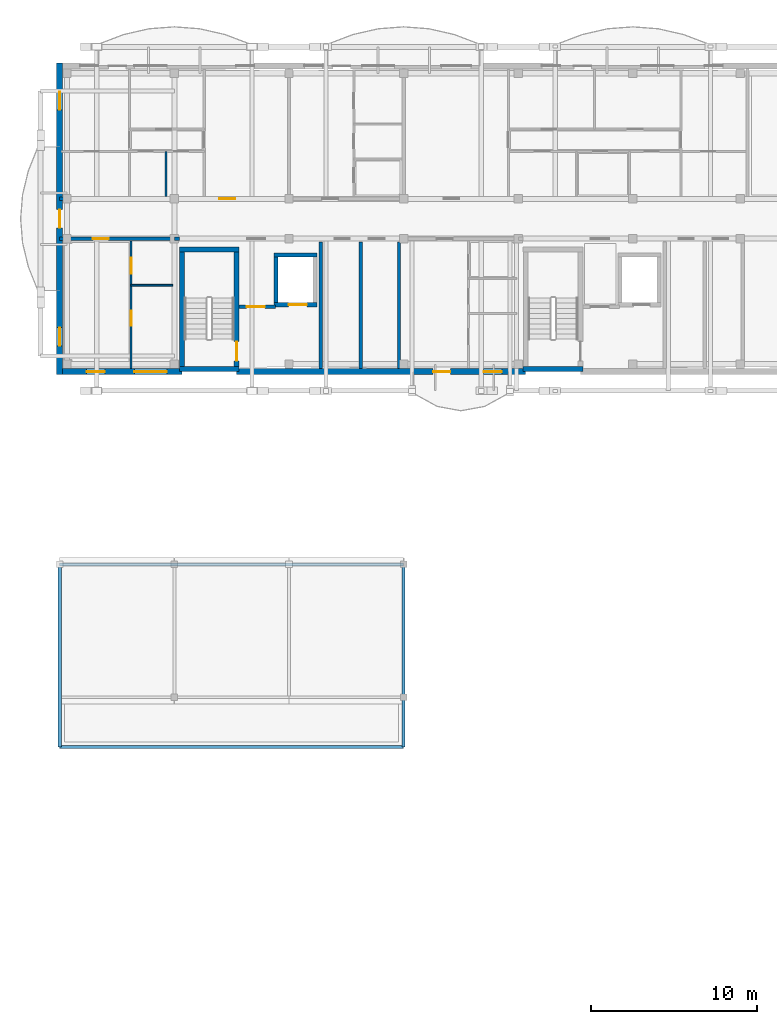
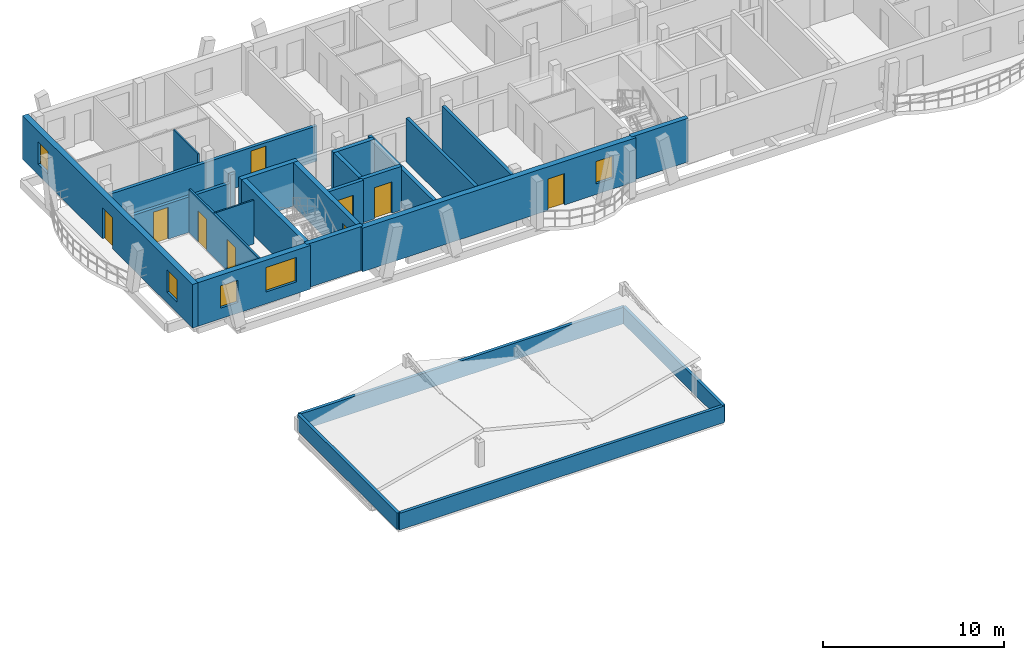
# One storey, part 24 of 50: 25 walls, 9 doors, 5 windows, 14 openings.
"""IFC4 building model written with IfcOpenShell, lengths in metres."""

from ifc_helpers import new_model, si_unit, direction, frame, frame_2d, origin, origin_with_axes, place, context, subcontext, project, spatial, rectangle, extrude, material, layer, layer_set, type_object, element, fill, save


model = new_model("IFC4")

# Units and contexts
model_context = context("Model", 3, precision=1e-05, world=origin(), true_north=direction((0.0, 1.0)))
body_context = subcontext(model_context, "Body", "Model", "MODEL_VIEW")
ifc_project = project(units=[si_unit("LENGTHUNIT", "METRE"), si_unit("AREAUNIT", "SQUARE_METRE"), si_unit("VOLUMEUNIT", "CUBIC_METRE"), si_unit("PLANEANGLEUNIT", "RADIAN"), si_unit("MASSUNIT", "GRAM", prefix="KILO")], contexts=[model_context])

# Site, building, storey
site_placement = place(None, origin())
site = spatial("IfcSite", under=ifc_project, at=site_placement, CompositionType="ELEMENT")
building_placement = place(site_placement, origin())
building = spatial("IfcBuilding", under=site, at=building_placement, Name="Zavelmont Quarter", CompositionType="ELEMENT")
storey_placement = place(building_placement, frame((0.0, 0.0, 11.199951171875)))
storey = spatial("IfcBuildingStorey", under=building, at=storey_placement, Name="L03", CompositionType="ELEMENT", Elevation=11.199951171875)

# Wall, openings, windows
ifc_material_1 = material(Name="Natural Belgian limestone", Category="masonry")
ifc_layer_1 = layer(ifc_material_1, 0.360107421875)
ifc_layer_set_1 = layer_set([ifc_layer_1], Name="Natural Belgian limestone")
wall_type_1 = type_object("IfcWallType", Name="EW02", PredefinedType="STANDARD", material=ifc_layer_set_1)
wall_1_placement = place(storey_placement, frame((0.169921875, 97.60009765625, 0.0), z_axis=(0.0, 0.0, 1.0), x_axis=(1.0, 0.0, 0.0)))
wall_1 = element("IfcWall", 1, at=wall_1_placement, inside=storey, type_object=wall_type_1, Name="L03 exterior limestone wall EW02", PredefinedType="STANDARD", context=body_context, shape_type="SweptSolid", body=[
    extrude(rectangle(XDim=7.18017578125, YDim=0.360107421875, at=frame_2d((3.590087890625, 0.0))), origin(), (0.0, 0.0, 1.0), 2.93994140625),
])
opening_1_placement = place(wall_1_placement, frame((1.449951171875, 0.0, 0.719970703125)))
opening_1 = element("IfcOpeningElement", 2, at=opening_1_placement, cuts=wall_1, Name="Opening WN09", PredefinedType="OPENING", context=body_context, shape_type="SweptSolid", body=[
    extrude(rectangle(XDim=1.10009765625, YDim=1.5, at=frame_2d((0.550048828125, 0.75))), frame((0.0, 0.19189453125, 0.0), z_axis=(0.0, -1.0, 0.0), x_axis=(1.0, 0.0, 0.0)), (0.0, 0.0, 1.0), 0.384033203125),
])
opening_2_placement = place(wall_1_placement, frame((4.327392578125, 0.0, 0.800048828125)))
opening_2 = element("IfcOpeningElement", 3, at=opening_2_placement, cuts=wall_1, Name="Opening WN24", PredefinedType="OPENING", context=body_context, shape_type="SweptSolid", body=[
    extrude(rectangle(XDim=1.949951171875, YDim=1.64990234375, at=frame_2d((0.97509765625, 0.824951171875))), frame((0.0, 0.19189453125, 0.0), z_axis=(0.0, -1.0, 0.0), x_axis=(1.0, 0.0, 0.0)), (0.0, 0.0, 1.0), 0.384033203125),
])
ifc_material_2 = material(Name="Double low-E insulated glazing in thermally broken aluminium frame", Category="aluminium")
window_type_1 = type_object("IfcWindowType", Name="WN09", PartitioningType="SINGLE_PANEL", PredefinedType="WINDOW", material=ifc_material_2)
window_1_placement = place(opening_1_placement, origin_with_axes())
window_1 = element("IfcWindow", 4, at=window_1_placement, inside=storey, type_object=window_type_1, Name="L03 window WN09", OverallHeight=1.5, OverallWidth=1.10009765625, PartitioningType="SINGLE_PANEL", PredefinedType="WINDOW", context=body_context, shape_type="SweptSolid", body=[
    extrude(rectangle(XDim=1.10009765625, YDim=1.5, at=frame_2d((0.550048828125, 0.75))), frame((0.0, 0.030029296875, 0.0), z_axis=(0.0, -1.0, 0.0), x_axis=(1.0, 0.0, 0.0)), (0.0, 0.0, 1.0), 0.06005859375),
])
fill(opening_1, window_1)
window_type_2 = type_object("IfcWindowType", Name="WN24", PartitioningType="SINGLE_PANEL", PredefinedType="WINDOW", material=ifc_material_2)
window_2_placement = place(opening_2_placement, origin_with_axes())
window_2 = element("IfcWindow", 5, at=window_2_placement, inside=storey, type_object=window_type_2, Name="L03 window WN24", OverallHeight=1.64990234375, OverallWidth=1.949951171875, PartitioningType="SINGLE_PANEL", PredefinedType="WINDOW", context=body_context, shape_type="SweptSolid", body=[
    extrude(rectangle(XDim=1.949951171875, YDim=1.64990234375, at=frame_2d((0.97509765625, 0.824951171875))), frame((0.0, 0.030029296875, 0.0), z_axis=(0.0, -1.0, 0.0), x_axis=(1.0, 0.0, 0.0)), (0.0, 0.0, 1.0), 0.06005859375),
])
fill(opening_2, window_2)

# Wall, openings, door, window
wall_2_placement = place(storey_placement, frame((10.64990234375, 97.60009765625, 0.0), z_axis=(0.0, 0.0, 1.0), x_axis=(1.0, 0.0, 0.0)))
wall_2 = element("IfcWall", 6, at=wall_2_placement, inside=storey, type_object=wall_type_1, Name="L03 exterior limestone wall EW02", PredefinedType="STANDARD", context=body_context, shape_type="SweptSolid", body=[
    extrude(rectangle(XDim=17.400146484375, YDim=0.360107421875, at=frame_2d((8.7001953125, 0.0))), origin(), (0.0, 0.0, 1.0), 2.93994140625),
])
opening_3_placement = place(wall_2_placement, frame((11.820068359375, 0.0, 0.0)))
opening_3 = element("IfcOpeningElement", 7, at=opening_3_placement, cuts=wall_2, Name="Opening DR04A", PredefinedType="OPENING", context=body_context, shape_type="SweptSolid", body=[
    extrude(rectangle(XDim=1.050048828125, YDim=2.1201171875, at=frame_2d((0.52490234375, 1.06005859375))), frame((0.0, 0.19189453125, 0.0), z_axis=(0.0, -1.0, 0.0), x_axis=(1.0, 0.0, 0.0)), (0.0, 0.0, 1.0), 0.384033203125),
])
opening_4_placement = place(wall_2_placement, frame((14.8701171875, 0.0, 0.719970703125)))
opening_4 = element("IfcOpeningElement", 8, at=opening_4_placement, cuts=wall_2, Name="Opening WN09", PredefinedType="OPENING", context=body_context, shape_type="SweptSolid", body=[
    extrude(rectangle(XDim=1.10009765625, YDim=1.5, at=frame_2d((0.550048828125, 0.75))), frame((0.0, 0.19189453125, 0.0), z_axis=(0.0, -1.0, 0.0), x_axis=(1.0, 0.0, 0.0)), (0.0, 0.0, 1.0), 0.384033203125),
])
ifc_material_3 = material(Name="Thermally broken aluminium and double safety glass", Category="aluminium")
door_type_1 = type_object("IfcDoorType", Name="DR04A", OperationType="NOTDEFINED", PredefinedType="DOOR", material=ifc_material_3)
door_1_placement = place(opening_3_placement, origin_with_axes())
door_1 = element("IfcDoor", 9, at=door_1_placement, inside=storey, type_object=door_type_1, Name="Block B L03 glazed balcony door", OperationType="SINGLE_SWING_RIGHT", OverallHeight=2.1201171875, OverallWidth=1.050048828125, PredefinedType="DOOR", context=body_context, shape_type="SweptSolid", body=[
    extrude(rectangle(XDim=1.050048828125, YDim=2.1201171875, at=frame_2d((0.52490234375, 1.06005859375))), frame((0.0, 0.02490234375, 0.0), z_axis=(0.0, -1.0, 0.0), x_axis=(1.0, 0.0, 0.0)), (0.0, 0.0, 1.0), 0.050048828125),
])
fill(opening_3, door_1)
window_3_placement = place(opening_4_placement, origin_with_axes())
window_3 = element("IfcWindow", 10, at=window_3_placement, inside=storey, type_object=window_type_1, Name="L03 window WN09", OverallHeight=1.5, OverallWidth=1.10009765625, PartitioningType="SINGLE_PANEL", PredefinedType="WINDOW", context=body_context, shape_type="SweptSolid", body=[
    extrude(rectangle(XDim=1.10009765625, YDim=1.5, at=frame_2d((0.550048828125, 0.75))), frame((0.0, 0.030029296875, 0.0), z_axis=(0.0, -1.0, 0.0), x_axis=(1.0, 0.0, 0.0)), (0.0, 0.0, 1.0), 0.06005859375),
])
fill(opening_4, window_3)

# Wall, openings, door, windows
wall_3_placement = place(storey_placement, frame((0.0, 97.419921875, 0.0), z_axis=(0.0, 0.0, 1.0), x_axis=(0.0, 1.0, 0.0)))
wall_3 = element("IfcWall", 11, at=wall_3_placement, inside=storey, type_object=wall_type_1, Name="L03 exterior limestone wall EW02", PredefinedType="STANDARD", context=body_context, shape_type="SweptSolid", body=[
    extrude(rectangle(XDim=18.760009765625, YDim=0.360107421875, at=frame_2d((9.3798828125, 0.0))), origin(), (0.0, 0.0, 1.0), 2.93994140625),
])
opening_5_placement = place(wall_3_placement, frame((8.830078125, 0.0, 0.0)))
opening_5 = element("IfcOpeningElement", 12, at=opening_5_placement, cuts=wall_3, Name="Opening DR04B", PredefinedType="OPENING", context=body_context, shape_type="SweptSolid", body=[
    extrude(rectangle(XDim=1.10009765625, YDim=2.10009765625, at=frame_2d((0.550048828125, 1.050048828125))), frame((0.0, 0.19189453125, 0.0), z_axis=(0.0, -1.0, 0.0), x_axis=(1.0, 0.0, 0.0)), (0.0, 0.0, 1.0), 0.384033203125),
])
opening_6_placement = place(wall_3_placement, frame((1.72998046875, 0.0, 0.719970703125)))
opening_6 = element("IfcOpeningElement", 13, at=opening_6_placement, cuts=wall_3, Name="Opening WN09", PredefinedType="OPENING", context=body_context, shape_type="SweptSolid", body=[
    extrude(rectangle(XDim=1.10009765625, YDim=1.5, at=frame_2d((0.550048828125, 0.75))), frame((0.0, 0.19189453125, 0.0), z_axis=(0.0, -1.0, 0.0), x_axis=(1.0, 0.0, 0.0)), (0.0, 0.0, 1.0), 0.384033203125),
])
opening_7_placement = place(wall_3_placement, frame((15.929931640625, 0.0, 0.719970703125)))
opening_7 = element("IfcOpeningElement", 14, at=opening_7_placement, cuts=wall_3, Name="Opening WN09", PredefinedType="OPENING", context=body_context, shape_type="SweptSolid", body=[
    extrude(rectangle(XDim=1.10009765625, YDim=1.5, at=frame_2d((0.550048828125, 0.75))), frame((0.0, 0.19189453125, 0.0), z_axis=(0.0, -1.0, 0.0), x_axis=(1.0, 0.0, 0.0)), (0.0, 0.0, 1.0), 0.384033203125),
])
door_type_2 = type_object("IfcDoorType", Name="DR04B", OperationType="NOTDEFINED", PredefinedType="DOOR", material=ifc_material_3)
door_2_placement = place(opening_5_placement, frame((1.10009765625, 0.0, 0.0), z_axis=(0.0, 0.0, 1.0), x_axis=(-1.0, 0.0, 0.0)))
door_2 = element("IfcDoor", 15, at=door_2_placement, inside=storey, type_object=door_type_2, Name="Block B L03 terrace or vase balcony door", OperationType="SINGLE_SWING_RIGHT", OverallHeight=2.10009765625, OverallWidth=1.10009765625, PredefinedType="DOOR", context=body_context, shape_type="SweptSolid", body=[
    extrude(rectangle(XDim=1.10009765625, YDim=2.10009765625, at=frame_2d((0.550048828125, 1.050048828125))), frame((0.0, 0.02490234375, 0.0), z_axis=(0.0, -1.0, 0.0), x_axis=(1.0, 0.0, 0.0)), (0.0, 0.0, 1.0), 0.050048828125),
])
fill(opening_5, door_2)
window_4_placement = place(opening_6_placement, origin_with_axes())
window_4 = element("IfcWindow", 16, at=window_4_placement, inside=storey, type_object=window_type_1, Name="L03 window WN09", OverallHeight=1.5, OverallWidth=1.10009765625, PartitioningType="SINGLE_PANEL", PredefinedType="WINDOW", context=body_context, shape_type="SweptSolid", body=[
    extrude(rectangle(XDim=1.10009765625, YDim=1.5, at=frame_2d((0.550048828125, 0.75))), frame((0.0, 0.030029296875, 0.0), z_axis=(0.0, -1.0, 0.0), x_axis=(1.0, 0.0, 0.0)), (0.0, 0.0, 1.0), 0.06005859375),
])
fill(opening_6, window_4)
window_5_placement = place(opening_7_placement, origin_with_axes())
window_5 = element("IfcWindow", 17, at=window_5_placement, inside=storey, type_object=window_type_1, Name="L03 window WN09", OverallHeight=1.5, OverallWidth=1.10009765625, PartitioningType="SINGLE_PANEL", PredefinedType="WINDOW", context=body_context, shape_type="SweptSolid", body=[
    extrude(rectangle(XDim=1.10009765625, YDim=1.5, at=frame_2d((0.550048828125, 0.75))), frame((0.0, 0.030029296875, 0.0), z_axis=(0.0, -1.0, 0.0), x_axis=(1.0, 0.0, 0.0)), (0.0, 0.0, 1.0), 0.06005859375),
])
fill(opening_7, window_5)

# Walls
ifc_material_4 = material(Name="Calcium-silicate blockwork and acoustic plaster", Category="masonry")
ifc_layer_2 = layer(ifc_material_4, 0.199951171875)
ifc_layer_set_2 = layer_set([ifc_layer_2], Name="Calcium-silicate blockwork and acoustic plaster")
wall_type_2 = type_object("IfcWallType", Name="IW01", PredefinedType="PARTITIONING", material=ifc_layer_set_2)
for number, where, z_axis, x_axis, name in (
    (18, (18.125, 97.800048828125, 0.0), (0.0, 0.0, 1.0), (0.0, 1.0, 0.0), "L03 Service riser divider wall IW01"),
    (19, (20.419921875, 97.800048828125, 0.0), (0.0, 0.0, 1.0), (0.0, 1.0, 0.0), "L03 Core service end wall IW01"),
):
    element("IfcWall", number, at=place(storey_placement, frame(where, z_axis=z_axis, x_axis=x_axis)), inside=storey, type_object=wall_type_2, Name=name, PredefinedType="PARTITIONING", context=body_context, shape_type="SweptSolid", body=[
        extrude(rectangle(XDim=7.599853515625, YDim=0.199951171875, at=frame_2d((3.7998046875, 0.0))), origin(), (0.0, 0.0, 1.0), 2.93994140625),
    ])

# Wall, opening, door
wall_4_placement = place(storey_placement, frame((0.0, 108.0, 0.0), z_axis=(0.0, 0.0, 1.0), x_axis=(1.0, 0.0, 0.0)))
wall_4 = element("IfcWall", 20, at=wall_4_placement, inside=storey, type_object=wall_type_2, Name="L03 Corridor compartment wall IW01", PredefinedType="PARTITIONING", context=body_context, shape_type="SweptSolid", body=[
    extrude(rectangle(XDim=13.800048828125, YDim=0.199951171875, at=frame_2d((6.89990234375, 0.0))), origin(), (0.0, 0.0, 1.0), 2.380126953125),
])
opening_8_placement = place(wall_4_placement, frame((9.60009765625, 0.0, 0.0)))
opening_8 = element("IfcOpeningElement", 21, at=opening_8_placement, cuts=wall_4, Name="Opening DR02", PredefinedType="OPENING", context=body_context, shape_type="SweptSolid", body=[
    extrude(rectangle(XDim=0.949951171875, YDim=2.14990234375, at=frame_2d((0.47509765625, 1.074951171875))), frame((0.0, 0.11181640625, 0.0), z_axis=(0.0, -1.0, 0.0), x_axis=(1.0, 0.0, 0.0)), (0.0, 0.0, 1.0), 0.223876953125),
])
ifc_material_5 = material(Name="Solid-core oak fire leaf in steel frame", Category="steel")
door_type_3 = type_object("IfcDoorType", Name="DR02", OperationType="NOTDEFINED", PredefinedType="DOOR", material=ifc_material_5)
door_3_placement = place(opening_8_placement, origin_with_axes())
door_3 = element("IfcDoor", 22, at=door_3_placement, inside=storey, type_object=door_type_3, Name="L03 door DR02", OperationType="SINGLE_SWING_LEFT", OverallHeight=2.14990234375, OverallWidth=0.949951171875, PredefinedType="DOOR", context=body_context, shape_type="SweptSolid", body=[
    extrude(rectangle(XDim=0.949951171875, YDim=2.14990234375, at=frame_2d((0.47509765625, 1.074951171875))), frame((0.0, 0.02490234375, 0.0), z_axis=(0.0, -1.0, 0.0), x_axis=(1.0, 0.0, 0.0)), (0.0, 0.0, 1.0), 0.050048828125),
])
fill(opening_8, door_3)

wall_5_placement = place(storey_placement, frame((0.0, 105.60009765625, 0.0), z_axis=(0.0, 0.0, 1.0), x_axis=(1.0, 0.0, 0.0)))
wall_5 = element("IfcWall", 23, at=wall_5_placement, inside=storey, type_object=wall_type_2, Name="L03 Corridor compartment wall IW01", PredefinedType="PARTITIONING", context=body_context, shape_type="SweptSolid", body=[
    extrude(rectangle(XDim=6.89990234375, YDim=0.199951171875, at=frame_2d((3.449951171875, 0.0))), origin(), (0.0, 0.0, 1.0), 2.380126953125),
])
opening_9_placement = place(wall_5_placement, frame((2.0, 0.0, 0.0)))
opening_9 = element("IfcOpeningElement", 24, at=opening_9_placement, cuts=wall_5, Name="Opening DR02", PredefinedType="OPENING", context=body_context, shape_type="SweptSolid", body=[
    extrude(rectangle(XDim=0.949951171875, YDim=2.14990234375, at=frame_2d((0.47509765625, 1.074951171875))), frame((0.0, 0.11181640625, 0.0), z_axis=(0.0, -1.0, 0.0), x_axis=(1.0, 0.0, 0.0)), (0.0, 0.0, 1.0), 0.223876953125),
])
door_4_placement = place(opening_9_placement, frame((0.949951171875, 0.0, 0.0), z_axis=(0.0, 0.0, 1.0), x_axis=(-1.0, 0.0, 0.0)))
door_4 = element("IfcDoor", 25, at=door_4_placement, inside=storey, type_object=door_type_3, Name="L03 door DR02", OperationType="SINGLE_SWING_LEFT", OverallHeight=2.14990234375, OverallWidth=0.949951171875, PredefinedType="DOOR", context=body_context, shape_type="SweptSolid", body=[
    extrude(rectangle(XDim=0.949951171875, YDim=2.14990234375, at=frame_2d((0.47509765625, 1.074951171875))), frame((0.0, 0.02490234375, 0.0), z_axis=(0.0, -1.0, 0.0), x_axis=(1.0, 0.0, 0.0)), (0.0, 0.0, 1.0), 0.050048828125),
])
fill(opening_9, door_4)

# Wall
ifc_material_6 = material(Name="Reinforced masonry fire compartment wall", Category="masonry")
ifc_layer_3 = layer(ifc_material_6, 0.22509765625)
ifc_layer_set_3 = layer_set([ifc_layer_3], Name="Reinforced masonry fire compartment wall")
wall_type_3 = type_object("IfcWallType", Name="IW02", PredefinedType="PARTITIONING", material=ifc_layer_set_3)
wall_6_placement = place(storey_placement, frame((15.7099609375, 97.800048828125, 0.0), z_axis=(0.0, 0.0, 1.0), x_axis=(0.0, 1.0, 0.0)))
element("IfcWall", 26, at=wall_6_placement, inside=storey, type_object=wall_type_3, Name="L03 Firefighting lobby enclosure wall IW02", PredefinedType="PARTITIONING", context=body_context, shape_type="SweptSolid", body=[
    extrude(rectangle(XDim=7.599853515625, YDim=0.22509765625, at=frame_2d((3.7998046875, 0.0))), origin(), (0.0, 0.0, 1.0), 2.590087890625),
])

# Wall, opening, door
wall_7_placement = place(storey_placement, frame((10.800048828125, 101.5, 0.0), z_axis=(0.0, 0.0, 1.0), x_axis=(1.0, 0.0, 0.0)))
wall_7 = element("IfcWall", 27, at=wall_7_placement, inside=storey, type_object=wall_type_3, Name="L03 Firefighting lobby threshold wall IW02", PredefinedType="PARTITIONING", context=body_context, shape_type="SweptSolid", body=[
    extrude(rectangle(XDim=2.199951171875, YDim=0.22509765625, at=frame_2d((1.10009765625, 0.0))), origin(), (0.0, 0.0, 1.0), 2.93994140625),
])
opening_10_placement = place(wall_7_placement, frame((0.449951171875, 0.0, 0.0)))
opening_10 = element("IfcOpeningElement", 28, at=opening_10_placement, cuts=wall_7, Name="Opening DR10", PredefinedType="OPENING", context=body_context, shape_type="SweptSolid", body=[
    extrude(rectangle(XDim=1.10009765625, YDim=2.14990234375, at=frame_2d((0.550048828125, 1.074951171875))), frame((0.0, 0.12451171875, 0.0), z_axis=(0.0, -1.0, 0.0), x_axis=(1.0, 0.0, 0.0)), (0.0, 0.0, 1.0), 0.2490234375),
])
ifc_material_7 = material(Name="Painted steel lobby fire door", Category="steel")
door_type_4 = type_object("IfcDoorType", Name="DR10", OperationType="NOTDEFINED", PredefinedType="DOOR", material=ifc_material_7)
door_5_placement = place(opening_10_placement, frame((1.10009765625, 0.0, 0.0), z_axis=(0.0, 0.0, 1.0), x_axis=(-1.0, 0.0, 0.0)))
door_5 = element("IfcDoor", 29, at=door_5_placement, inside=storey, type_object=door_type_4, Name="Firefighting lobby fire door", OperationType="SINGLE_SWING_LEFT", OverallHeight=2.14990234375, OverallWidth=1.10009765625, PredefinedType="DOOR", context=body_context, shape_type="SweptSolid", body=[
    extrude(rectangle(XDim=1.10009765625, YDim=2.14990234375, at=frame_2d((0.550048828125, 1.074951171875))), frame((0.0, 0.02490234375, 0.0), z_axis=(0.0, -1.0, 0.0), x_axis=(1.0, 0.0, 0.0)), (0.0, 0.0, 1.0), 0.050048828125),
])
fill(opening_10, door_5)

# Wall
wall_8_placement = place(storey_placement, frame((6.89990234375, 105.60009765625, 0.0), z_axis=(0.0, 0.0, 1.0), x_axis=(1.0, 0.0, 0.0)))
element("IfcWall", 30, at=wall_8_placement, inside=storey, type_object=wall_type_3, Name="L03 Core corridor wall IW02", PredefinedType="PARTITIONING", context=body_context, shape_type="SweptSolid", body=[
    extrude(rectangle(XDim=0.300048828125, YDim=0.22509765625, at=frame_2d((0.14990234375, 0.0))), origin(), (0.0, 0.0, 1.0), 2.93994140625),
])

# Wall, openings, doors
ifc_material_8 = material(Name="Double gypsum board on acoustic steel stud", Category="steel")
ifc_layer_4 = layer(ifc_material_8, 0.125)
ifc_layer_set_4 = layer_set([ifc_layer_4], Name="Double gypsum board on acoustic steel stud")
wall_type_4 = type_object("IfcWallType", Name="IW03", PredefinedType="PARTITIONING", material=ifc_layer_set_4)
wall_9_placement = place(storey_placement, frame((4.300048828125, 105.449951171875, 0.0), z_axis=(0.0, 0.0, 1.0), x_axis=(0.0, -1.0, 0.0)))
wall_9 = element("IfcWall", 31, at=wall_9_placement, inside=storey, type_object=wall_type_4, Name="L03 Partition IW03", PredefinedType="PARTITIONING", context=body_context, shape_type="SweptSolid", body=[
    extrude(rectangle(XDim=7.64990234375, YDim=0.125, at=frame_2d((3.824951171875, 0.0))), origin(), (0.0, 0.0, 1.0), 2.93994140625),
])
opening_11_placement = place(wall_9_placement, frame((1.0, 0.0, 0.0)))
opening_11 = element("IfcOpeningElement", 32, at=opening_11_placement, cuts=wall_9, Name="Opening DR17", PredefinedType="OPENING", context=body_context, shape_type="SweptSolid", body=[
    extrude(rectangle(XDim=0.949951171875, YDim=2.10009765625, at=frame_2d((0.47509765625, 1.050048828125))), frame((0.0, 0.074462890625, 0.0), z_axis=(0.0, -1.0, 0.0), x_axis=(1.0, 0.0, 0.0)), (0.0, 0.0, 1.0), 0.14892578125),
])
opening_12_placement = place(wall_9_placement, frame((4.199951171875, 0.0, 0.0)))
opening_12 = element("IfcOpeningElement", 33, at=opening_12_placement, cuts=wall_9, Name="Opening DR05", PredefinedType="OPENING", context=body_context, shape_type="SweptSolid", body=[
    extrude(rectangle(XDim=0.89990234375, YDim=2.10009765625, at=frame_2d((0.449951171875, 1.050048828125))), frame((0.0, 0.074462890625, 0.0), z_axis=(0.0, -1.0, 0.0), x_axis=(1.0, 0.0, 0.0)), (0.0, 0.0, 1.0), 0.14892578125),
])
ifc_material_9 = material(Name="Engineered oak flush interior door")
door_type_5 = type_object("IfcDoorType", Name="DR05", OperationType="NOTDEFINED", PredefinedType="DOOR", material=ifc_material_9)
door_6_placement = place(opening_12_placement, origin_with_axes())
door_6 = element("IfcDoor", 34, at=door_6_placement, inside=storey, type_object=door_type_5, Name="L03 door DR05", OperationType="SINGLE_SWING_RIGHT", OverallHeight=2.10009765625, OverallWidth=0.89990234375, PredefinedType="DOOR", context=body_context, shape_type="SweptSolid", body=[
    extrude(rectangle(XDim=0.89990234375, YDim=2.10009765625, at=frame_2d((0.449951171875, 1.050048828125))), frame((0.0, 0.02490234375, 0.0), z_axis=(0.0, -1.0, 0.0), x_axis=(1.0, 0.0, 0.0)), (0.0, 0.0, 1.0), 0.050048828125),
])
fill(opening_12, door_6)
ifc_material_10 = material(Name="Accessible washroom flush door")
door_type_6 = type_object("IfcDoorType", Name="DR17", OperationType="NOTDEFINED", PredefinedType="DOOR", material=ifc_material_10)
door_7_placement = place(opening_11_placement, frame((0.949951171875, 0.0, 0.0), z_axis=(0.0, 0.0, 1.0), x_axis=(-1.0, 0.0, 0.0)))
door_7 = element("IfcDoor", 35, at=door_7_placement, inside=storey, type_object=door_type_6, Name="L03 door DR17", OperationType="SINGLE_SWING_LEFT", OverallHeight=2.10009765625, OverallWidth=0.949951171875, PredefinedType="DOOR", context=body_context, shape_type="SweptSolid", body=[
    extrude(rectangle(XDim=0.949951171875, YDim=2.10009765625, at=frame_2d((0.47509765625, 1.050048828125))), frame((0.0, 0.02490234375, 0.0), z_axis=(0.0, -1.0, 0.0), x_axis=(1.0, 0.0, 0.0)), (0.0, 0.0, 1.0), 0.050048828125),
])
fill(opening_11, door_7)

# Walls
ifc_material_11 = material(Name="Moisture-resistant gypsum board on steel stud", Category="steel")
ifc_layer_5 = layer(ifc_material_11, 0.10009765625)
ifc_layer_set_5 = layer_set([ifc_layer_5], Name="Moisture-resistant gypsum board on steel stud")
wall_type_5 = type_object("IfcWallType", Name="IW04", PredefinedType="PARTITIONING", material=ifc_layer_set_5)
wall_10_placement = place(storey_placement, frame((6.39990234375, 108.14990234375, 0.0), z_axis=(0.0, 0.0, 1.0), x_axis=(0.0, 1.0, 0.0)))
element("IfcWall", 36, at=wall_10_placement, inside=storey, type_object=wall_type_5, Name="L03 Partition IW04", PredefinedType="PARTITIONING", context=body_context, shape_type="SweptSolid", body=[
    extrude(rectangle(XDim=2.7001953125, YDim=0.10009765625, at=frame_2d((1.35009765625, 0.0))), origin(), (0.0, 0.0, 1.0), 2.93994140625),
])
wall_11_placement = place(storey_placement, frame((4.300048828125, 102.800048828125, 0.0), z_axis=(0.0, 0.0, 1.0), x_axis=(1.0, 0.0, 0.0)))
element("IfcWall", 37, at=wall_11_placement, inside=storey, type_object=wall_type_5, Name="L03 Partition IW04", PredefinedType="PARTITIONING", context=body_context, shape_type="SweptSolid", body=[
    extrude(rectangle(XDim=2.5, YDim=0.10009765625, at=frame_2d((1.25, 0.0))), origin(), (0.0, 0.0, 1.0), 2.93994140625),
])
ifc_layer_6 = layer(ifc_material_1, 0.18994140625)
ifc_layer_set_6 = layer_set([ifc_layer_6], Name="Natural Belgian limestone")
wall_type_6 = type_object("IfcWallType", Name="PW03", PredefinedType="PARAPET", material=ifc_layer_set_6)
wall_12_placement = place(storey_placement, frame((0.0, 75.0, 0.0), z_axis=(0.0, 0.0, 1.0), x_axis=(1.0, 0.0, 0.0)))
element("IfcWall", 38, at=wall_12_placement, inside=storey, type_object=wall_type_6, Name="L03 roof parapet PW03", PredefinedType="PARAPET", context=body_context, shape_type="SweptSolid", body=[
    extrude(rectangle(XDim=20.699951171875, YDim=0.18994140625, at=frame_2d((10.35009765625, 0.0))), origin(), (0.0, 0.0, 1.0), 1.1201171875),
])
wall_13_placement = place(storey_placement, frame((20.699951171875, 75.0, 0.0), z_axis=(0.0, 0.0, 1.0), x_axis=(0.0, 1.0, 0.0)))
element("IfcWall", 39, at=wall_13_placement, inside=storey, type_object=wall_type_6, Name="L03 roof parapet PW03", PredefinedType="PARAPET", context=body_context, shape_type="SweptSolid", body=[
    extrude(rectangle(XDim=11.0, YDim=0.18994140625, at=frame_2d((5.5, 0.0))), origin(), (0.0, 0.0, 1.0), 1.1201171875),
])
wall_14_placement = place(storey_placement, frame((20.699951171875, 86.0, 0.0), z_axis=(0.0, 0.0, 1.0), x_axis=(-1.0, 0.0, 0.0)))
element("IfcWall", 40, at=wall_14_placement, inside=storey, type_object=wall_type_6, Name="L03 roof parapet PW03", PredefinedType="PARAPET", context=body_context, shape_type="SweptSolid", body=[
    extrude(rectangle(XDim=20.699951171875, YDim=0.18994140625, at=frame_2d((10.35009765625, 0.0))), origin(), (0.0, 0.0, 1.0), 1.1201171875),
])
wall_15_placement = place(storey_placement, frame((0.0, 86.0, 0.0), z_axis=(0.0, 0.0, 1.0), x_axis=(0.0, -1.0, 0.0)))
element("IfcWall", 41, at=wall_15_placement, inside=storey, type_object=wall_type_6, Name="L03 roof parapet PW03", PredefinedType="PARAPET", context=body_context, shape_type="SweptSolid", body=[
    extrude(rectangle(XDim=11.0, YDim=0.18994140625, at=frame_2d((5.5, 0.0))), origin(), (0.0, 0.0, 1.0), 1.1201171875),
])
ifc_material_12 = material(Name="Concrete C40/50", Category="concrete")
ifc_layer_7 = layer(ifc_material_12, 0.300048828125)
ifc_layer_set_7 = layer_set([ifc_layer_7], Name="Concrete C40/50")
wall_type_7 = type_object("IfcWallType", Name="SW01", PredefinedType="SHEAR", material=ifc_layer_set_7)
wall_16_placement = place(storey_placement, frame((7.199951171875, 104.949951171875, 0.0), z_axis=(0.0, 0.0, 1.0), x_axis=(1.0, 0.0, 0.0)))
element("IfcWall", 42, at=wall_16_placement, inside=storey, type_object=wall_type_7, Name="L03 ST03 corridor shear wall SW01", PredefinedType="SHEAR", context=body_context, shape_type="SweptSolid", body=[
    extrude(rectangle(XDim=3.60009765625, YDim=0.300048828125, at=frame_2d((1.800048828125, 0.0))), origin(), (0.0, 0.0, 1.0), 2.93994140625),
])
wall_17_placement = place(storey_placement, frame((7.35009765625, 97.60009765625, 0.0), z_axis=(0.0, 0.0, 1.0), x_axis=(0.0, 1.0, 0.0)))
element("IfcWall", 43, at=wall_17_placement, inside=storey, type_object=wall_type_7, Name="L03 ST03 west shear wall SW01", PredefinedType="SHEAR", context=body_context, shape_type="SweptSolid", body=[
    extrude(rectangle(XDim=7.5, YDim=0.300048828125, at=frame_2d((3.75, 0.0))), origin(), (0.0, 0.0, 1.0), 2.93994140625),
])

# Wall, opening, door
wall_18_placement = place(storey_placement, frame((10.64990234375, 97.60009765625, 0.0), z_axis=(0.0, 0.0, 1.0), x_axis=(0.0, 1.0, 0.0)))
wall_18 = element("IfcWall", 44, at=wall_18_placement, inside=storey, type_object=wall_type_7, Name="L03 ST03 lobby shear wall SW01", PredefinedType="SHEAR", context=body_context, shape_type="SweptSolid", body=[
    extrude(rectangle(XDim=7.5, YDim=0.300048828125, at=frame_2d((3.75, 0.0))), origin(), (0.0, 0.0, 1.0), 2.93994140625),
])
opening_13_placement = place(wall_18_placement, frame((0.64990234375, 0.0, 0.0)))
opening_13 = element("IfcOpeningElement", 45, at=opening_13_placement, cuts=wall_18, Name="Opening DR09", PredefinedType="OPENING", context=body_context, shape_type="SweptSolid", body=[
    extrude(rectangle(XDim=1.14990234375, YDim=2.14990234375, at=frame_2d((0.574951171875, 1.074951171875))), frame((0.0, 0.162109375, 0.0), z_axis=(0.0, -1.0, 0.0), x_axis=(1.0, 0.0, 0.0)), (0.0, 0.0, 1.0), 0.323974609375),
])
ifc_material_13 = material(Name="Painted steel stair-core fire door", Category="steel")
door_type_7 = type_object("IfcDoorType", Name="DR09", OperationType="NOTDEFINED", PredefinedType="DOOR", material=ifc_material_13)
door_8_placement = place(opening_13_placement, origin_with_axes())
door_8 = element("IfcDoor", 46, at=door_8_placement, inside=storey, type_object=door_type_7, Name="ST03 protected stair door", OperationType="SINGLE_SWING_RIGHT", OverallHeight=2.14990234375, OverallWidth=1.14990234375, PredefinedType="DOOR", context=body_context, shape_type="SweptSolid", body=[
    extrude(rectangle(XDim=1.14990234375, YDim=2.14990234375, at=frame_2d((0.574951171875, 1.074951171875))), frame((0.0, 0.02490234375, 0.0), z_axis=(0.0, -1.0, 0.0), x_axis=(1.0, 0.0, 0.0)), (0.0, 0.0, 1.0), 0.050048828125),
])
fill(opening_13, door_8)

ifc_layer_8 = layer(ifc_material_12, 0.25)
ifc_layer_set_8 = layer_set([ifc_layer_8], Name="Concrete C40/50")
wall_type_8 = type_object("IfcWallType", Name="SW02", PredefinedType="SHEAR", material=ifc_layer_set_8)
wall_19_placement = place(storey_placement, frame((12.89990234375, 101.625, 0.0), z_axis=(0.0, 0.0, 1.0), x_axis=(1.0, 0.0, 0.0)))
wall_19 = element("IfcWall", 47, at=wall_19_placement, inside=storey, type_object=wall_type_8, Name="L03 Lift FL02 landing shaft wall SW02", PredefinedType="SHEAR", context=body_context, shape_type="SweptSolid", body=[
    extrude(rectangle(XDim=2.60009765625, YDim=0.25, at=frame_2d((1.300048828125, 0.0))), origin(), (0.0, 0.0, 1.0), 2.93994140625),
])
opening_14_placement = place(wall_19_placement, frame((0.875, 0.0, 0.0)))
opening_14 = element("IfcOpeningElement", 48, at=opening_14_placement, cuts=wall_19, Name="Opening LD02", PredefinedType="OPENING", context=body_context, shape_type="SweptSolid", body=[
    extrude(rectangle(XDim=1.10009765625, YDim=2.10009765625, at=frame_2d((0.550048828125, 1.050048828125))), frame((0.0, 0.136962890625, 0.0), z_axis=(0.0, -1.0, 0.0), x_axis=(1.0, 0.0, 0.0)), (0.0, 0.0, 1.0), 0.27392578125),
])
ifc_material_14 = material(Name="Brushed stainless-steel firefighting lift landing door", Category="steel")
door_type_8 = type_object("IfcDoorType", Name="LD02", OperationType="SLIDING_TO_LEFT", PredefinedType="DOOR", material=ifc_material_14)
door_9_placement = place(opening_14_placement, origin_with_axes())
door_9 = element("IfcDoor", 49, at=door_9_placement, inside=storey, type_object=door_type_8, Name="Lift FL02 sliding landing door", OperationType="SLIDING_TO_LEFT", OverallHeight=2.10009765625, OverallWidth=1.10009765625, PredefinedType="DOOR", context=body_context, shape_type="SweptSolid", body=[
    extrude(rectangle(XDim=1.10009765625, YDim=2.10009765625, at=frame_2d((0.550048828125, 1.050048828125))), frame((0.0, 0.02490234375, 0.0), z_axis=(0.0, -1.0, 0.0), x_axis=(1.0, 0.0, 0.0)), (0.0, 0.0, 1.0), 0.050048828125),
])
fill(opening_14, door_9)

# Walls
wall_20_placement = place(storey_placement, frame((12.89990234375, 104.625, 0.0), z_axis=(0.0, 0.0, 1.0), x_axis=(1.0, 0.0, 0.0)))
element("IfcWall", 50, at=wall_20_placement, inside=storey, type_object=wall_type_8, Name="L03 Lift FL02 back shaft wall SW02", PredefinedType="SHEAR", context=body_context, shape_type="SweptSolid", body=[
    extrude(rectangle(XDim=2.60009765625, YDim=0.25, at=frame_2d((1.300048828125, 0.0))), origin(), (0.0, 0.0, 1.0), 2.93994140625),
])
wall_21_placement = place(storey_placement, frame((13.02490234375, 101.5, 0.0), z_axis=(0.0, 0.0, 1.0), x_axis=(0.0, 1.0, 0.0)))
element("IfcWall", 51, at=wall_21_placement, inside=storey, type_object=wall_type_8, Name="L03 Lift FL02 west shaft wall SW02", PredefinedType="SHEAR", context=body_context, shape_type="SweptSolid", body=[
    extrude(rectangle(XDim=3.25, YDim=0.25, at=frame_2d((1.625, 0.0))), origin(), (0.0, 0.0, 1.0), 2.93994140625),
])
ifc_layer_9 = layer(ifc_material_12, 0.300048828125)
ifc_layer_set_9 = layer_set([ifc_layer_9], Name="Concrete C40/50")
wall_type_9 = type_object("IfcWallType", Name="SW03", PredefinedType="SHEAR", material=ifc_layer_set_9)
for number, where, z_axis, x_axis, name in (
    (52, (7.199951171875, 97.75, 0.0), (0.0, 0.0, 1.0), (1.0, 0.0, 0.0), "L03 ST03 outer shear wall SW03"),
    (53, (27.89990234375, 97.75, 0.0), (0.0, 0.0, 1.0), (1.0, 0.0, 0.0), "L03 ST04 outer shear wall SW03"),
):
    element("IfcWall", number, at=place(storey_placement, frame(where, z_axis=z_axis, x_axis=x_axis)), inside=storey, type_object=wall_type_9, Name=name, PredefinedType="SHEAR", context=body_context, shape_type="SweptSolid", body=[
        extrude(rectangle(XDim=3.60009765625, YDim=0.300048828125, at=frame_2d((1.800048828125, 0.0))), origin(), (0.0, 0.0, 1.0), 2.93994140625),
    ])

save(model, "model.ifc")
